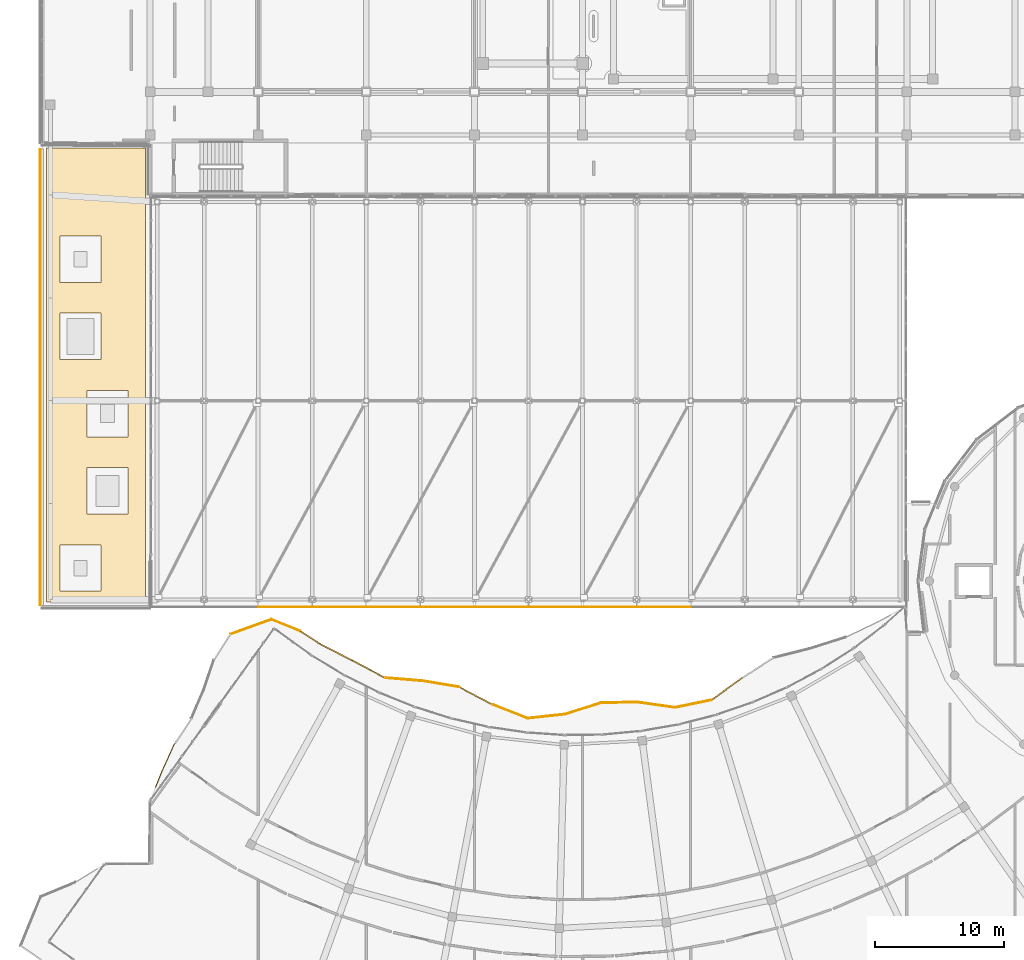
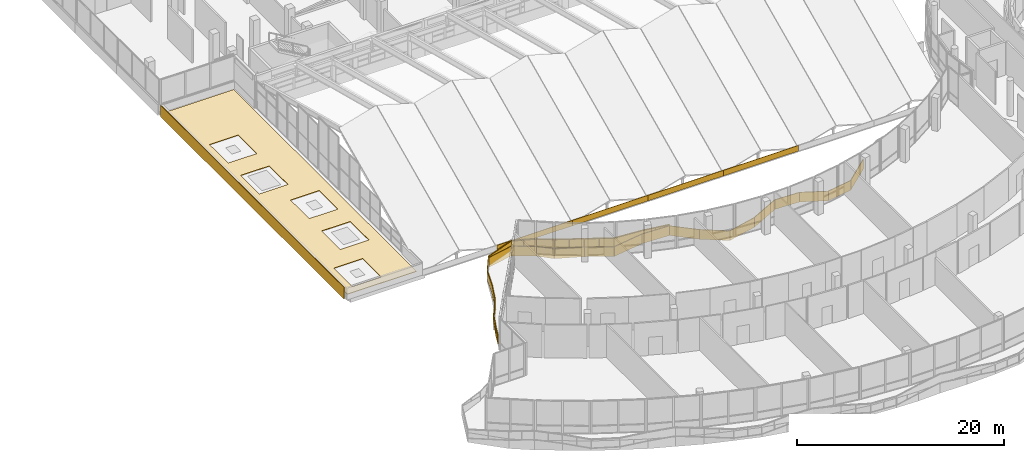
# One storey, part 175 of 184: 21 coverings, 1 railing.
"""IFC4 building model written with IfcOpenShell, lengths in metres."""

from ifc_helpers import new_model, si_unit, direction, frame, origin, origin_2d, place, context, subcontext, project, spatial, polyline, rectangle, outline, extrude, material, layer, layer_set, type_object, element, save


model = new_model("IFC4")

# Units and contexts
model_context = context("Model", 3, precision=1e-05, world=origin(), true_north=direction((0.0, 1.0)))
body_context = subcontext(model_context, "Body", "Model", "MODEL_VIEW")
ifc_project = project(units=[si_unit("LENGTHUNIT", "METRE"), si_unit("AREAUNIT", "SQUARE_METRE"), si_unit("VOLUMEUNIT", "CUBIC_METRE"), si_unit("PLANEANGLEUNIT", "RADIAN"), si_unit("MASSUNIT", "GRAM", prefix="KILO")], contexts=[model_context])

# Site, building, storey
site_placement = place(None, origin())
site = spatial("IfcSite", under=ifc_project, at=site_placement, CompositionType="ELEMENT")
building_placement = place(site_placement, origin())
building = spatial("IfcBuilding", under=site, at=building_placement, Name="Selatvlak General Hospital", CompositionType="ELEMENT")
storey_placement = place(building_placement, frame((0.0, 0.0, 15.0)))
storey = spatial("IfcBuildingStorey", under=building, at=storey_placement, Name="L03", CompositionType="ELEMENT", Elevation=15.0)

# Coverings
ifc_material_1 = material(Name="PVDF aluminium fascia - cobalt blue", Category="aluminium")
ifc_layer_1 = layer(ifc_material_1, 0.070068359375, Name="PVDF aluminium fascia - cobalt blue", Category="aluminium")
ifc_layer_set_1 = layer_set([ifc_layer_1], Name="PVDF aluminium fascia - cobalt blue")
covering_type_1 = type_object("IfcCoveringType", Name="COV-RB-BLU", PredefinedType="CLADDING", material=ifc_layer_set_1)
covering_1_placement = place(storey_placement, frame((35.93994140625, 49.14404296875, -1.179931640625), z_axis=(0.0, 0.0, 1.0), x_axis=(-0.837240209461, 0.546835287506, 0.0)))
element("IfcCovering", 1, at=covering_1_placement, inside=storey, type_object=covering_type_1, Name="L03 De Stijl waving fascia streamer 301", PredefinedType="CLADDING", context=body_context, shape_type="SweptSolid", body=[
    extrude(outline(polyline([(0.0, 0.0), (1.73193359375, 0.241943359375), (1.73193359375, 1.3818359375), (0.0, 1.139892578125), (0.0, 0.0)])), frame((0.0, 0.03515625, 0.0), z_axis=(0.0, -1.0, 0.0), x_axis=(1.0, 0.0, 0.0)), (0.0, 0.0, 1.0), 0.070068359375),
])
covering_2_placement = place(storey_placement, frame((34.49609375, 50.090087890625, -0.93798828125), z_axis=(0.0, 0.0, 1.0), x_axis=(-0.927500906967, 0.373820903076, 0.0)))
element("IfcCovering", 2, at=covering_2_placement, inside=storey, type_object=covering_type_1, Name="L03 De Stijl waving fascia streamer 302", PredefinedType="CLADDING", context=body_context, shape_type="SweptSolid", body=[
    extrude(outline(polyline([(0.0, 0.0), (2.458251953125, 0.27587890625), (2.458251953125, 1.415771484375), (0.0, 1.139892578125), (0.0, 0.0)])), frame((0.0, 0.03515625, 0.0), z_axis=(0.0, -1.0, 0.0), x_axis=(1.0, 0.0, 0.0)), (0.0, 0.0, 1.0), 0.070068359375),
])
covering_3_placement = place(storey_placement, frame((32.22607421875, 51.010009765625, -0.662109375), z_axis=(0.0, 0.0, 1.0), x_axis=(-0.940309366059, -0.340320872269, 0.0)))
element("IfcCovering", 3, at=covering_3_placement, inside=storey, type_object=covering_type_1, Name="L03 De Stijl waving fascia streamer 303", PredefinedType="CLADDING", context=body_context, shape_type="SweptSolid", body=[
    extrude(outline(polyline([(0.0, 0.0), (3.405517578125, 0.446044921875), (3.405517578125, 1.5859375), (0.0, 1.139892578125), (0.0, 0.0)])), frame((0.0, 0.03515625, 0.0), z_axis=(0.0, -1.0, 0.0), x_axis=(1.0, 0.0, 0.0)), (0.0, 0.0, 1.0), 0.070068359375),
])
covering_4_placement = place(storey_placement, frame((68.824951171875, 46.493896484375, -0.5029296875), z_axis=(0.0, 0.0, 1.0), x_axis=(-0.809823843587, -0.586673113716, 0.0)))
element("IfcCovering", 4, at=covering_4_placement, inside=storey, type_object=covering_type_1, Name="L03 De Stijl waving fascia streamer 387", PredefinedType="CLADDING", context=body_context, shape_type="SweptSolid", body=[
    extrude(outline(polyline([(0.0, 0.0), (2.975830078125, -0.60400390625), (2.975830078125, 0.535888671875), (0.0, 1.139892578125), (0.0, 0.0)])), frame((0.0, 0.03515625, 0.0), z_axis=(0.0, -1.0, 0.0), x_axis=(1.0, 0.0, 0.0)), (0.0, 0.0, 1.0), 0.070068359375),
])
covering_5_placement = place(storey_placement, frame((66.4140625, 44.7470703125, -1.10693359375), z_axis=(0.0, 0.0, 1.0), x_axis=(-0.97914273178, -0.203173597701, 0.0)))
element("IfcCovering", 5, at=covering_5_placement, inside=storey, type_object=covering_type_1, Name="L03 De Stijl waving fascia streamer 388", PredefinedType="CLADDING", context=body_context, shape_type="SweptSolid", body=[
    extrude(outline(polyline([(0.0, 0.0), (2.885009765625, 0.093994140625), (2.885009765625, 1.23388671875), (0.0, 1.139892578125), (0.0, 0.0)])), frame((0.0, 0.03515625, 0.0), z_axis=(0.0, -1.0, 0.0), x_axis=(1.0, 0.0, 0.0)), (0.0, 0.0, 1.0), 0.070068359375),
])
covering_6_placement = place(storey_placement, frame((63.587890625, 44.160888671875, -1.012939453125), z_axis=(0.0, 0.0, 1.0), x_axis=(-0.989969140969, 0.141283756778, 0.0)))
element("IfcCovering", 6, at=covering_6_placement, inside=storey, type_object=covering_type_1, Name="L03 De Stijl waving fascia streamer 389", PredefinedType="CLADDING", context=body_context, shape_type="SweptSolid", body=[
    extrude(outline(polyline([(0.0, 0.0), (2.980712890625, 0.638916015625), (2.980712890625, 1.77880859375), (0.0, 1.139892578125), (0.0, 0.0)])), frame((0.0, 0.03515625, 0.0), z_axis=(0.0, -1.0, 0.0), x_axis=(1.0, 0.0, 0.0)), (0.0, 0.0, 1.0), 0.070068359375),
])
covering_7_placement = place(storey_placement, frame((60.635009765625, 44.58203125, -0.3740234375), z_axis=(0.0, 0.0, 1.0), x_axis=(-0.999769725863, -0.021459153003, 0.0)))
element("IfcCovering", 7, at=covering_7_placement, inside=storey, type_object=covering_type_1, Name="L03 De Stijl waving fascia streamer 390", PredefinedType="CLADDING", context=body_context, shape_type="SweptSolid", body=[
    extrude(outline(polyline([(0.0, 0.0), (2.798828125, 0.137939453125), (2.798828125, 1.27783203125), (0.0, 1.139892578125), (0.0, 0.0)])), frame((0.0, 0.03515625, 0.0), z_axis=(0.0, -1.0, 0.0), x_axis=(1.0, 0.0, 0.0)), (0.0, 0.0, 1.0), 0.070068359375),
])
covering_8_placement = place(storey_placement, frame((57.8359375, 44.52197265625, -0.236083984375), z_axis=(0.0, 0.0, 1.0), x_axis=(-0.953882296922, -0.300180884834, 0.0)))
element("IfcCovering", 8, at=covering_8_placement, inside=storey, type_object=covering_type_1, Name="L03 De Stijl waving fascia streamer 391", PredefinedType="CLADDING", context=body_context, shape_type="SweptSolid", body=[
    extrude(outline(polyline([(0.0, 0.0), (2.9384765625, -0.587890625), (2.9384765625, 0.552001953125), (0.0, 1.139892578125), (0.0, 0.0)])), frame((0.0, 0.03515625, 0.0), z_axis=(0.0, -1.0, 0.0), x_axis=(1.0, 0.0, 0.0)), (0.0, 0.0, 1.0), 0.070068359375),
])
covering_9_placement = place(storey_placement, frame((55.031982421875, 43.639892578125, -0.823974609375), z_axis=(0.0, 0.0, 1.0), x_axis=(-0.994190113919, -0.107638363908, 0.0)))
element("IfcCovering", 9, at=covering_9_placement, inside=storey, type_object=covering_type_1, Name="L03 De Stijl waving fascia streamer 392", PredefinedType="CLADDING", context=body_context, shape_type="SweptSolid", body=[
    extrude(outline(polyline([(0.0, 0.0), (2.916748046875, -0.35302734375), (2.916748046875, 0.786865234375), (0.0, 1.139892578125), (0.0, 0.0)])), frame((0.0, 0.03515625, 0.0), z_axis=(0.0, -1.0, 0.0), x_axis=(1.0, 0.0, 0.0)), (0.0, 0.0, 1.0), 0.070068359375),
])
covering_10_placement = place(storey_placement, frame((52.131103515625, 43.325927734375, -1.177001953125), z_axis=(0.0, 0.0, 1.0), x_axis=(-0.931171710845, 0.364580916837, 0.0)))
element("IfcCovering", 10, at=covering_10_placement, inside=storey, type_object=covering_type_1, Name="L03 De Stijl waving fascia streamer 393", PredefinedType="CLADDING", context=body_context, shape_type="SweptSolid", body=[
    extrude(outline(polyline([(0.0, 0.0), (2.9404296875, 0.4599609375), (2.9404296875, 1.599853515625), (0.0, 1.139892578125), (0.0, 0.0)])), frame((0.0, 0.03515625, 0.0), z_axis=(0.0, -1.0, 0.0), x_axis=(1.0, 0.0, 0.0)), (0.0, 0.0, 1.0), 0.070068359375),
])
covering_11_placement = place(storey_placement, frame((49.39208984375, 44.39794921875, -0.717041015625), z_axis=(0.0, 0.0, 1.0), x_axis=(-0.883853310537, 0.46776417718, 0.0)))
element("IfcCovering", 11, at=covering_11_placement, inside=storey, type_object=covering_type_1, Name="L03 De Stijl waving fascia streamer 394", PredefinedType="CLADDING", context=body_context, shape_type="SweptSolid", body=[
    extrude(outline(polyline([(0.0, 0.0), (2.905517578125, 0.52099609375), (2.905517578125, 1.660888671875), (0.0, 1.139892578125), (0.0, 0.0)])), frame((0.0, 0.03515625, 0.0), z_axis=(0.0, -1.0, 0.0), x_axis=(1.0, 0.0, 0.0)), (0.0, 0.0, 1.0), 0.070068359375),
])
covering_12_placement = place(storey_placement, frame((46.822021484375, 45.758056640625, -0.196044921875), z_axis=(0.0, 0.0, 1.0), x_axis=(-0.986114477101, 0.166066968573, 0.0)))
element("IfcCovering", 12, at=covering_12_placement, inside=storey, type_object=covering_type_1, Name="L03 De Stijl waving fascia streamer 395", PredefinedType="CLADDING", context=body_context, shape_type="SweptSolid", body=[
    extrude(outline(polyline([(0.0, 0.0), (2.82421875, -0.27099609375), (2.82421875, 0.868896484375), (0.0, 1.139892578125), (0.0, 0.0)])), frame((0.0, 0.03515625, 0.0), z_axis=(0.0, -1.0, 0.0), x_axis=(1.0, 0.0, 0.0)), (0.0, 0.0, 1.0), 0.070068359375),
])
covering_13_placement = place(storey_placement, frame((44.035888671875, 46.22705078125, -0.467041015625), z_axis=(0.0, 0.0, 1.0), x_axis=(-0.996676073828, 0.081466581242, 0.0)))
element("IfcCovering", 13, at=covering_13_placement, inside=storey, type_object=covering_type_1, Name="L03 De Stijl waving fascia streamer 396", PredefinedType="CLADDING", context=body_context, shape_type="SweptSolid", body=[
    extrude(outline(polyline([(0.0, 0.0), (2.98193359375, -0.618896484375), (2.98193359375, 0.52099609375), (0.0, 1.139892578125), (0.0, 0.0)])), frame((0.0, 0.03515625, 0.0), z_axis=(0.0, -1.0, 0.0), x_axis=(1.0, 0.0, 0.0)), (0.0, 0.0, 1.0), 0.070068359375),
])
covering_14_placement = place(storey_placement, frame((41.06298828125, 46.470947265625, -1.0859375), z_axis=(0.0, 0.0, 1.0), x_axis=(-0.883734273091, 0.467989032526, 0.0)))
element("IfcCovering", 14, at=covering_14_placement, inside=storey, type_object=covering_type_1, Name="L03 De Stijl waving fascia streamer 397", PredefinedType="CLADDING", context=body_context, shape_type="SweptSolid", body=[
    extrude(outline(polyline([(0.0, 0.0), (2.878662109375, 0.044921875), (2.878662109375, 1.184814453125), (0.0, 1.139892578125), (0.0, 0.0)])), frame((0.0, 0.03515625, 0.0), z_axis=(0.0, -1.0, 0.0), x_axis=(1.0, 0.0, 0.0)), (0.0, 0.0, 1.0), 0.070068359375),
])
covering_15_placement = place(storey_placement, frame((38.51806640625, 47.818115234375, -1.041015625), z_axis=(0.0, 0.0, 1.0), x_axis=(-0.889419894093, 0.457091076254, 0.0)))
element("IfcCovering", 15, at=covering_15_placement, inside=storey, type_object=covering_type_1, Name="L03 De Stijl waving fascia streamer 398", PredefinedType="CLADDING", context=body_context, shape_type="SweptSolid", body=[
    extrude(outline(polyline([(0.0, 0.0), (2.898681640625, -0.138916015625), (2.898681640625, 1.0009765625), (0.0, 1.139892578125), (0.0, 0.0)])), frame((0.0, 0.03515625, 0.0), z_axis=(0.0, -1.0, 0.0), x_axis=(1.0, 0.0, 0.0)), (0.0, 0.0, 1.0), 0.070068359375),
])
ifc_material_2 = material(Name="Insulated TPO roofing membrane")
ifc_layer_2 = layer(ifc_material_2, 0.06005859375, Name="Insulated TPO roofing membrane")
ifc_layer_set_2 = layer_set([ifc_layer_2], Name="Insulated TPO roofing membrane")
covering_type_2 = type_object("IfcCoveringType", Name="COV-RF1", PredefinedType="ROOFING", material=ifc_layer_set_2)
covering_16_placement = place(storey_placement, frame((0.0, 0.0, 0.050048828125)))
element("IfcCovering", 16, at=covering_16_placement, inside=storey, type_object=covering_type_2, Name="L03 insulated TPO roof membrane 04", PredefinedType="ROOFING", context=body_context, shape_type="SweptSolid", body=[
    extrude(outline(polyline([(14.75, 52.35009765625), (14.75, 87.64208984375), (22.44189453125, 87.64208984375), (22.445068359375, 52.35009765625), (14.75, 52.35009765625)]), holes=[polyline([(19.0, 56.800048828125), (15.800048828125, 56.800048828125), (15.800048828125, 53.199951171875), (19.0, 53.199951171875), (19.0, 56.800048828125)]), polyline([(21.10009765625, 59.199951171875), (21.10009765625, 62.800048828125), (17.89990234375, 62.800048828125), (17.89990234375, 59.199951171875), (21.10009765625, 59.199951171875)]), polyline([(17.89990234375, 65.199951171875), (21.10009765625, 65.199951171875), (21.10009765625, 68.800048828125), (17.89990234375, 68.800048828125), (17.89990234375, 65.199951171875)]), polyline([(15.800048828125, 74.800048828125), (15.800048828125, 71.199951171875), (19.0, 71.199951171875), (19.0, 74.800048828125), (15.800048828125, 74.800048828125)]), polyline([(19.0, 80.800048828125), (15.800048828125, 80.800048828125), (15.800048828125, 77.199951171875), (19.0, 77.199951171875), (19.0, 80.800048828125)])]), origin(), (0.0, 0.0, 1.0), 0.06005859375),
])
ifc_material_3 = material(Name="White Bauhaus fair-faced cladding panel")
ifc_layer_3 = layer(ifc_material_3, 0.054931640625, Name="White Bauhaus fair-faced cladding panel")
ifc_layer_set_3 = layer_set([ifc_layer_3], Name="White Bauhaus fair-faced cladding panel")
covering_type_3 = type_object("IfcCoveringType", Name="COV-WHT1", PredefinedType="CLADDING", material=ifc_layer_set_3)
for number, where, z_axis, x_axis, name in (
    (17, (35.39990234375, 51.969970703125, -0.300048828125), (0.0, 0.0, 1.0), (1.0, 0.0, 0.0), "L03 Concourse hall south eaves white fascia 0571"),
    (18, (43.800048828125, 51.969970703125, -0.300048828125), (0.0, 0.0, 1.0), (1.0, 0.0, 0.0), "L03 Concourse hall south eaves white fascia 0572"),
    (19, (52.199951171875, 51.969970703125, -0.300048828125), (0.0, 0.0, 1.0), (1.0, 0.0, 0.0), "L03 Concourse hall south eaves white fascia 0573"),
    (20, (60.60009765625, 51.969970703125, -0.300048828125), (0.0, 0.0, 1.0), (1.0, 0.0, 0.0), "L03 Concourse hall south eaves white fascia 0574"),
):
    element("IfcCovering", number, at=place(storey_placement, frame(where, z_axis=z_axis, x_axis=x_axis)), inside=storey, type_object=covering_type_3, Name=name, PredefinedType="CLADDING", context=body_context, shape_type="SweptSolid", body=[
        extrude(rectangle(XDim=8.39990234375, YDim=0.054931640625, at=origin_2d()), origin(), (0.0, 0.0, 1.0), 0.64990234375),
    ])
covering_17_placement = place(storey_placement, frame((14.264892578125, 69.823974609375, -0.170166015625), z_axis=(0.0, 0.0, 1.0), x_axis=(0.0, 1.0, 0.0)))
element("IfcCovering", 21, at=covering_17_placement, inside=storey, type_object=covering_type_3, Name="L03 Roof parapet white Bauhaus coping 0642", PredefinedType="CLADDING", context=body_context, shape_type="SweptSolid", body=[
    extrude(rectangle(XDim=35.431884765625, YDim=0.054931640625, at=origin_2d()), origin(), (0.0, 0.0, 1.0), 1.3701171875),
])

# Railing
ifc_material_4 = material(Name="Stainless steel 316 safety balustrade", Category="steel")
railing_type = type_object("IfcRailingType", Name="RAIL-BAL1", PredefinedType="BALUSTRADE", material=ifc_material_4)
railing_placement = place(storey_placement, frame((23.22705078125, 37.98095703125, 0.0)))
element("IfcRailing", 22, at=railing_placement, inside=storey, type_object=railing_type, Name="L03 continuous curved balcony balustrade 0024", PredefinedType="BALUSTRADE", context=body_context, shape_type="SweptSolid", body=[
    extrude(rectangle(XDim=0.068115234375, YDim=0.068115234375, at=origin_2d()), frame((0.0009765625, 0.002685546875, 1.0859375), z_axis=(0.369047529729, 0.929410523289, 0.0), x_axis=(-0.929410523289, 0.369047529729, 0.0)), (0.0, 0.0, 1.0), 1.270263671875),
    extrude(rectangle(XDim=0.068115234375, YDim=0.068115234375, at=origin_2d()), frame((0.0009765625, 0.002685546875, 0.049072265625), z_axis=(0.369047529729, 0.929410523289, 0.0), x_axis=(-0.929410523289, 0.369047529729, 0.0)), (0.0, 0.0, 1.0), 1.270263671875),
    extrude(outline(polyline([(0.0, 0.0), (1.26416015625, 0.0), (1.26416015625, 0.94189453125), (0.0, 0.94189453125), (0.0, 0.0)])), frame((-0.014404296875, 0.01220703125, 0.0849609375), z_axis=(0.929410523289, -0.369047529729, 0.0), x_axis=(0.369047529729, 0.929410523289, 0.0)), (0.0, 0.0, 1.0), 0.031982421875),
    extrude(rectangle(XDim=0.068115234375, YDim=0.068115234375, at=origin_2d()), frame((0.47216796875, 1.188720703125, 1.0859375), z_axis=(0.412111680983, 0.911133339527, 0.0), x_axis=(-0.911133339527, 0.412111680983, 0.0)), (0.0, 0.0, 1.0), 2.398681640625),
    extrude(rectangle(XDim=0.068115234375, YDim=0.068115234375, at=origin_2d()), frame((0.47216796875, 1.188720703125, 0.049072265625), z_axis=(0.412111680983, 0.911133339527, 0.0), x_axis=(-0.911133339527, 0.412111680983, 0.0)), (0.0, 0.0, 1.0), 2.398681640625),
    extrude(outline(polyline([(0.0, 0.0), (2.392578125, 0.0), (2.392578125, 0.94189453125), (0.0, 0.94189453125), (0.0, 0.0)])), frame((0.45703125, 1.198974609375, 0.0849609375), z_axis=(0.911133339527, -0.412111680983, 0.0), x_axis=(0.412111680983, 0.911133339527, 0.0)), (0.0, 0.0, 1.0), 0.031982421875),
    extrude(rectangle(XDim=0.068115234375, YDim=0.068115234375, at=origin_2d()), frame((1.463623046875, 3.37939453125, 1.0859375), z_axis=(0.554509119797, 0.832177646937, 0.0), x_axis=(-0.832177646937, 0.554509119797, 0.0)), (0.0, 0.0, 1.0), 2.353271484375),
    extrude(rectangle(XDim=0.068115234375, YDim=0.068115234375, at=origin_2d()), frame((1.463623046875, 3.37939453125, 0.049072265625), z_axis=(0.554509119797, 0.832177646937, 0.0), x_axis=(-0.832177646937, 0.554509119797, 0.0)), (0.0, 0.0, 1.0), 2.353271484375),
    extrude(outline(polyline([(0.0, 0.0), (2.346923828125, 0.0), (2.346923828125, 0.94189453125), (0.0, 0.94189453125), (0.0, 0.0)])), frame((1.4501953125, 3.391845703125, 0.0849609375), z_axis=(0.832177646937, -0.554509119797, 0.0), x_axis=(0.554509119797, 0.832177646937, 0.0)), (0.0, 0.0, 1.0), 0.031982421875),
    extrude(rectangle(XDim=0.068115234375, YDim=0.068115234375, at=origin_2d()), frame((2.771240234375, 5.3427734375, 1.0859375), z_axis=(0.392772622845, 0.919635616287, 0.0), x_axis=(-0.919635616287, 0.392772622845, 0.0)), (0.0, 0.0, 1.0), 2.41015625),
    extrude(rectangle(XDim=0.068115234375, YDim=0.068115234375, at=origin_2d()), frame((2.771240234375, 5.3427734375, 0.049072265625), z_axis=(0.392772622845, 0.919635616287, 0.0), x_axis=(-0.919635616287, 0.392772622845, 0.0)), (0.0, 0.0, 1.0), 2.41015625),
    extrude(outline(polyline([(0.0, 0.0), (2.404052734375, 0.0), (2.404052734375, 0.94189453125), (0.0, 0.94189453125), (0.0, 0.0)])), frame((2.755859375, 5.352783203125, 0.0849609375), z_axis=(0.919635616287, -0.392772622845, 0.0), x_axis=(0.392772622845, 0.919635616287, 0.0)), (0.0, 0.0, 1.0), 0.031982421875),
    extrude(rectangle(XDim=0.068115234375, YDim=0.068115234375, at=origin_2d()), frame((3.719970703125, 7.564697265625, 1.0859375), z_axis=(0.322641646085, 0.94652119269, 0.0), x_axis=(-0.94652119269, 0.322641646085, 0.0)), (0.0, 0.0, 1.0), 2.4580078125),
    extrude(rectangle(XDim=0.068115234375, YDim=0.068115234375, at=origin_2d()), frame((3.719970703125, 7.564697265625, 0.049072265625), z_axis=(0.322641646085, 0.94652119269, 0.0), x_axis=(-0.94652119269, 0.322641646085, 0.0)), (0.0, 0.0, 1.0), 2.4580078125),
    extrude(outline(polyline([(0.0, 0.0), (2.451904296875, 0.0), (2.451904296875, 0.94189453125), (0.0, 0.94189453125), (0.0, 0.0)])), frame((3.703857421875, 7.573486328125, 0.0849609375), z_axis=(0.94652119269, -0.322641646085, 0.0), x_axis=(0.322641646085, 0.94652119269, 0.0)), (0.0, 0.0, 1.0), 0.031982421875),
    extrude(rectangle(XDim=0.068115234375, YDim=0.068115234375, at=origin_2d()), frame((4.515380859375, 9.896484375, 1.0859375), z_axis=(0.539895278686, 0.841732194972, 0.0), x_axis=(-0.841732194972, 0.539895278686, 0.0)), (0.0, 0.0, 1.0), 2.35595703125),
    extrude(rectangle(XDim=0.068115234375, YDim=0.068115234375, at=origin_2d()), frame((4.515380859375, 9.896484375, 0.049072265625), z_axis=(0.539895278686, 0.841732194972, 0.0), x_axis=(-0.841732194972, 0.539895278686, 0.0)), (0.0, 0.0, 1.0), 2.35595703125),
    extrude(outline(polyline([(0.0, 0.0), (2.349853515625, 0.0), (2.349853515625, 0.94189453125), (0.0, 0.94189453125), (0.0, 0.0)])), frame((4.501953125, 9.90869140625, 0.0849609375), z_axis=(0.841732194972, -0.539895278686, 0.0), x_axis=(0.539895278686, 0.841732194972, 0.0)), (0.0, 0.0, 1.0), 0.031982421875),
    extrude(rectangle(XDim=0.068115234375, YDim=0.068115234375, at=origin_2d()), frame((5.791748046875, 11.883056640625, 1.0859375), z_axis=(0.940301062, 0.340343815578, 0.0), x_axis=(-0.340343815578, 0.940301062, 0.0)), (0.0, 0.0, 1.0), 3.3994140625),
    extrude(rectangle(XDim=0.068115234375, YDim=0.068115234375, at=origin_2d()), frame((5.791748046875, 11.883056640625, 0.049072265625), z_axis=(0.940301062, 0.340343815578, 0.0), x_axis=(-0.340343815578, 0.940301062, 0.0)), (0.0, 0.0, 1.0), 3.3994140625),
    extrude(outline(polyline([(0.0, 0.0), (3.393310546875, 0.0), (3.393310546875, 0.94189453125), (0.0, 0.94189453125), (0.0, 0.0)])), frame((5.78857421875, 11.901123046875, 0.0849609375), z_axis=(0.340343815578, -0.940301062, 0.0), x_axis=(0.940301062, 0.340343815578, 0.0)), (0.0, 0.0, 1.0), 0.031982421875),
    extrude(rectangle(XDim=0.068115234375, YDim=0.068115234375, at=origin_2d()), frame((8.99365234375, 13.0400390625, 1.0859375), z_axis=(0.927500906967, -0.373820903076, 0.0), x_axis=(0.373820903076, 0.927500906967, 0.0)), (0.0, 0.0, 1.0), 2.452392578125),
    extrude(rectangle(XDim=0.068115234375, YDim=0.068115234375, at=origin_2d()), frame((8.99365234375, 13.0400390625, 0.049072265625), z_axis=(0.927500906967, -0.373820903076, 0.0), x_axis=(0.373820903076, 0.927500906967, 0.0)), (0.0, 0.0, 1.0), 2.452392578125),
    extrude(outline(polyline([(0.0, 0.0), (2.4462890625, 0.0), (2.4462890625, 0.94189453125), (0.0, 0.94189453125), (0.0, 0.0)])), frame((9.003173828125, 13.055419921875, 0.0849609375), z_axis=(-0.373820903076, -0.927500906967, 0.0), x_axis=(0.927500906967, -0.373820903076, 0.0)), (0.0, 0.0, 1.0), 0.031982421875),
    extrude(rectangle(XDim=0.068115234375, YDim=0.068115234375, at=origin_2d()), frame((11.2734375, 12.120361328125, 1.0859375), z_axis=(0.837240209461, -0.546835287506, 0.0), x_axis=(0.546835287506, 0.837240209461, 0.0)), (0.0, 0.0, 1.0), 1.72607421875),
    extrude(rectangle(XDim=0.068115234375, YDim=0.068115234375, at=origin_2d()), frame((11.2734375, 12.120361328125, 0.049072265625), z_axis=(0.837240209461, -0.546835287506, 0.0), x_axis=(0.546835287506, 0.837240209461, 0.0)), (0.0, 0.0, 1.0), 1.72607421875),
    extrude(outline(polyline([(0.0, 0.0), (1.7197265625, 0.0), (1.7197265625, 0.94189453125), (0.0, 0.94189453125), (0.0, 0.0)])), frame((11.285888671875, 12.1337890625, 0.0849609375), z_axis=(-0.546835287506, -0.837240209461, 0.0), x_axis=(0.837240209461, -0.546835287506, 0.0)), (0.0, 0.0, 1.0), 0.031982421875),
    extrude(rectangle(XDim=0.068115234375, YDim=0.068115234375, at=origin_2d()), frame((12.7236328125, 11.173828125, 1.0859375), z_axis=(0.88940229472, -0.457125319959, 0.0), x_axis=(0.457125319959, 0.88940229472, 0.0)), (0.0, 0.0, 1.0), 2.892578125),
    extrude(rectangle(XDim=0.068115234375, YDim=0.068115234375, at=origin_2d()), frame((12.7236328125, 11.173828125, 0.049072265625), z_axis=(0.88940229472, -0.457125319959, 0.0), x_axis=(0.457125319959, 0.88940229472, 0.0)), (0.0, 0.0, 1.0), 2.892578125),
    extrude(outline(polyline([(0.0, 0.0), (2.886474609375, 0.0), (2.886474609375, 0.94189453125), (0.0, 0.94189453125), (0.0, 0.0)])), frame((12.734619140625, 11.188232421875, 0.0849609375), z_axis=(-0.457125319959, -0.88940229472, 0.0), x_axis=(0.88940229472, -0.457125319959, 0.0)), (0.0, 0.0, 1.0), 0.031982421875),
    extrude(rectangle(XDim=0.068115234375, YDim=0.068115234375, at=origin_2d()), frame((15.301513671875, 9.8486328125, 1.0859375), z_axis=(0.883752845854, -0.467953958682, 0.0), x_axis=(0.467953958682, 0.883752845854, 0.0)), (0.0, 0.0, 1.0), 2.873046875),
    extrude(rectangle(XDim=0.068115234375, YDim=0.068115234375, at=origin_2d()), frame((15.301513671875, 9.8486328125, 0.049072265625), z_axis=(0.883752845854, -0.467953958682, 0.0), x_axis=(0.467953958682, 0.883752845854, 0.0)), (0.0, 0.0, 1.0), 2.873046875),
    extrude(outline(polyline([(0.0, 0.0), (2.866943359375, 0.0), (2.866943359375, 0.94189453125), (0.0, 0.94189453125), (0.0, 0.0)])), frame((15.3125, 9.86328125, 0.0849609375), z_axis=(-0.467953958682, -0.883752845854, 0.0), x_axis=(0.883752845854, -0.467953958682, 0.0)), (0.0, 0.0, 1.0), 0.031982421875),
    extrude(rectangle(XDim=0.068115234375, YDim=0.068115234375, at=origin_2d()), frame((17.845947265625, 8.502685546875, 1.0859375), z_axis=(0.996676073828, -0.081466581242, 0.0), x_axis=(0.081466581242, 0.996676073828, 0.0)), (0.0, 0.0, 1.0), 2.97607421875),
    extrude(rectangle(XDim=0.068115234375, YDim=0.068115234375, at=origin_2d()), frame((17.845947265625, 8.502685546875, 0.049072265625), z_axis=(0.996676073828, -0.081466581242, 0.0), x_axis=(0.081466581242, 0.996676073828, 0.0)), (0.0, 0.0, 1.0), 2.97607421875),
    extrude(outline(polyline([(0.0, 0.0), (2.9697265625, 0.0), (2.9697265625, 0.94189453125), (0.0, 0.94189453125), (0.0, 0.0)])), frame((17.8505859375, 8.520263671875, 0.0849609375), z_axis=(-0.081466581242, -0.996676073828, 0.0), x_axis=(0.996676073828, -0.081466581242, 0.0)), (0.0, 0.0, 1.0), 0.031982421875),
    extrude(rectangle(XDim=0.068115234375, YDim=0.068115234375, at=origin_2d()), frame((20.81787109375, 8.259521484375, 1.0859375), z_axis=(0.986114477101, -0.166066968573, 0.0), x_axis=(0.166066968573, 0.986114477101, 0.0)), (0.0, 0.0, 1.0), 2.818359375),
    extrude(rectangle(XDim=0.068115234375, YDim=0.068115234375, at=origin_2d()), frame((20.81787109375, 8.259521484375, 0.049072265625), z_axis=(0.986114477101, -0.166066968573, 0.0), x_axis=(0.166066968573, 0.986114477101, 0.0)), (0.0, 0.0, 1.0), 2.818359375),
    extrude(outline(polyline([(0.0, 0.0), (2.81201171875, 0.0), (2.81201171875, 0.94189453125), (0.0, 0.94189453125), (0.0, 0.0)])), frame((20.82373046875, 8.27685546875, 0.0849609375), z_axis=(-0.166066968573, -0.986114477101, 0.0), x_axis=(0.986114477101, -0.166066968573, 0.0)), (0.0, 0.0, 1.0), 0.031982421875),
    extrude(rectangle(XDim=0.055908203125, YDim=0.055908203125, at=origin_2d()), origin(), (0.0, 0.0, 1.0), 1.049072265625),
    extrude(rectangle(XDim=0.055908203125, YDim=0.055908203125, at=origin_2d()), frame((0.470947265625, 1.18603515625, 0.0)), (0.0, 0.0, 1.0), 1.049072265625),
    extrude(rectangle(XDim=0.055908203125, YDim=0.055908203125, at=origin_2d()), frame((0.96630859375, 2.281494140625, 0.0)), (0.0, 0.0, 1.0), 1.049072265625),
    extrude(rectangle(XDim=0.055908203125, YDim=0.055908203125, at=origin_2d()), frame((1.4619140625, 3.376953125, 0.0)), (0.0, 0.0, 1.0), 1.049072265625),
    extrude(rectangle(XDim=0.055908203125, YDim=0.055908203125, at=origin_2d()), frame((2.115966796875, 4.3583984375, 0.0)), (0.0, 0.0, 1.0), 1.049072265625),
    extrude(rectangle(XDim=0.055908203125, YDim=0.055908203125, at=origin_2d()), frame((2.77001953125, 5.340087890625, 0.0)), (0.0, 0.0, 1.0), 1.049072265625),
    extrude(rectangle(XDim=0.055908203125, YDim=0.055908203125, at=origin_2d()), frame((3.24462890625, 6.451171875, 0.0)), (0.0, 0.0, 1.0), 1.049072265625),
    extrude(rectangle(XDim=0.055908203125, YDim=0.055908203125, at=origin_2d()), frame((3.718994140625, 7.56201171875, 0.0)), (0.0, 0.0, 1.0), 1.049072265625),
    extrude(rectangle(XDim=0.055908203125, YDim=0.055908203125, at=origin_2d()), frame((4.116455078125, 8.72802734375, 0.0)), (0.0, 0.0, 1.0), 1.049072265625),
    extrude(rectangle(XDim=0.055908203125, YDim=0.055908203125, at=origin_2d()), frame((4.513916015625, 9.89404296875, 0.0)), (0.0, 0.0, 1.0), 1.049072265625),
    extrude(rectangle(XDim=0.055908203125, YDim=0.055908203125, at=origin_2d()), frame((5.1513671875, 10.88818359375, 0.0)), (0.0, 0.0, 1.0), 1.049072265625),
    extrude(rectangle(XDim=0.055908203125, YDim=0.055908203125, at=origin_2d()), frame((5.7890625, 11.882080078125, 0.0)), (0.0, 0.0, 1.0), 1.049072265625),
    extrude(rectangle(XDim=0.055908203125, YDim=0.055908203125, at=origin_2d()), frame((7.39013671875, 12.46142578125, 0.0)), (0.0, 0.0, 1.0), 1.049072265625),
    extrude(rectangle(XDim=0.055908203125, YDim=0.055908203125, at=origin_2d()), frame((8.990966796875, 13.041015625, 0.0)), (0.0, 0.0, 1.0), 1.049072265625),
    extrude(rectangle(XDim=0.055908203125, YDim=0.055908203125, at=origin_2d()), frame((10.130859375, 12.58154296875, 0.0)), (0.0, 0.0, 1.0), 1.049072265625),
    extrude(rectangle(XDim=0.055908203125, YDim=0.055908203125, at=origin_2d()), frame((11.27099609375, 12.1220703125, 0.0)), (0.0, 0.0, 1.0), 1.049072265625),
    extrude(rectangle(XDim=0.055908203125, YDim=0.055908203125, at=origin_2d()), frame((12.720947265625, 11.175048828125, 0.0)), (0.0, 0.0, 1.0), 1.049072265625),
    extrude(rectangle(XDim=0.055908203125, YDim=0.055908203125, at=origin_2d()), frame((14.009765625, 10.5126953125, 0.0)), (0.0, 0.0, 1.0), 1.049072265625),
    extrude(rectangle(XDim=0.055908203125, YDim=0.055908203125, at=origin_2d()), frame((15.298828125, 9.85009765625, 0.0)), (0.0, 0.0, 1.0), 1.049072265625),
    extrude(rectangle(XDim=0.055908203125, YDim=0.055908203125, at=origin_2d()), frame((16.57080078125, 9.176513671875, 0.0)), (0.0, 0.0, 1.0), 1.049072265625),
    extrude(rectangle(XDim=0.055908203125, YDim=0.055908203125, at=origin_2d()), frame((17.843017578125, 8.5029296875, 0.0)), (0.0, 0.0, 1.0), 1.049072265625),
    extrude(rectangle(XDim=0.055908203125, YDim=0.055908203125, at=origin_2d()), frame((19.3291015625, 8.38134765625, 0.0)), (0.0, 0.0, 1.0), 1.049072265625),
    extrude(rectangle(XDim=0.055908203125, YDim=0.055908203125, at=origin_2d()), frame((20.81494140625, 8.260009765625, 0.0)), (0.0, 0.0, 1.0), 1.049072265625),
    extrude(rectangle(XDim=0.055908203125, YDim=0.055908203125, at=origin_2d()), frame((22.20751953125, 8.025390625, 0.0)), (0.0, 0.0, 1.0), 1.049072265625),
    extrude(rectangle(XDim=0.055908203125, YDim=0.055908203125, at=origin_2d()), frame((23.599853515625, 7.791015625, 0.0)), (0.0, 0.0, 1.0), 1.049072265625),
])

save(model, "model.ifc")
